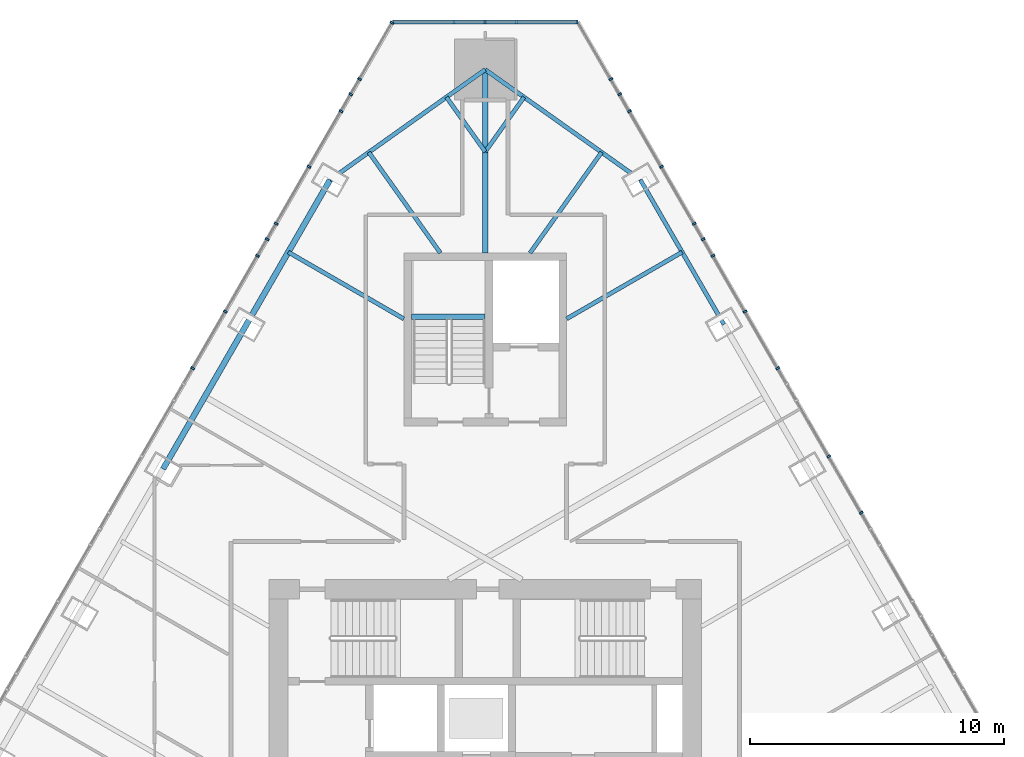
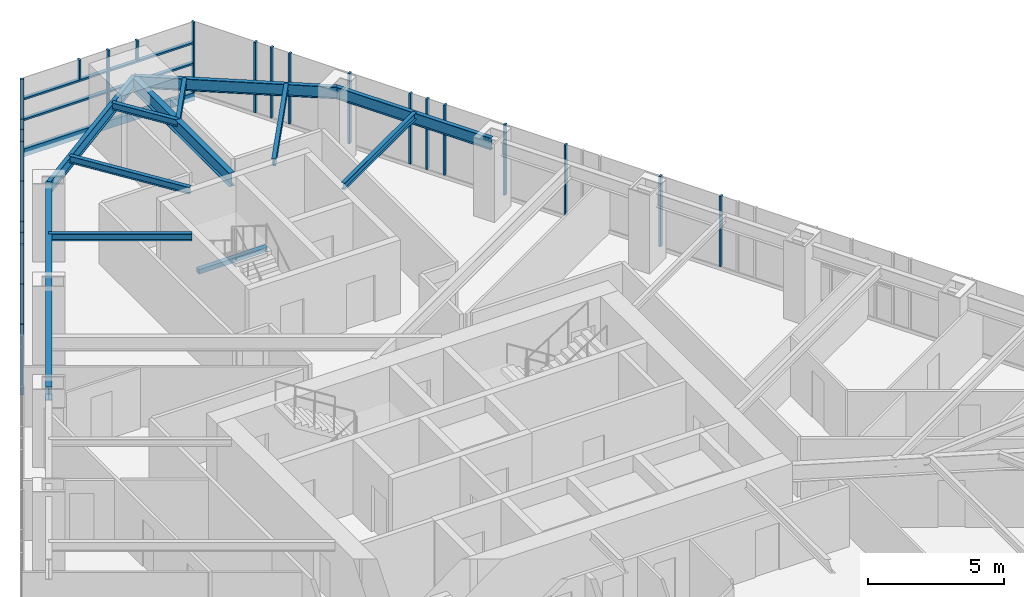
# One storey, part 10 of 20: 30 members, 12 beams, 3 elements without a shape of their own.
"""IFC4 building model written with IfcOpenShell, lengths in metres."""

import ifcopenshell
import ifcopenshell.guid

model = None  # the IFC model being written
_history = None  # IfcOwnerHistory: only IFC2X3 demands one
_inside = {}  # id of a spatial element -> (the spatial element, [elements in it])
_under = {}  # id of a project, library or spatial element -> (it, [spatial elements below it])
_declared = {}  # id of a project -> (the project, [libraries it declares])
_typed = {}  # id of a type object -> (the type object, [elements of that type])
_made_of = {}  # id of a material, layer set ... -> (it, [elements and type objects made of it])


def new_model(schema):
    """Start an empty IFC model of exactly this schema.

    Asked for "IFC4X3", IfcOpenShell would pick the latest addendum, in which some entities
    have other attributes; the version numbers below select the first issue.
    IFC2X3 requires an IfcOwnerHistory on every rooted entity: one is made here for all.
    """
    global model, _history
    if schema == "IFC4X3":
        model = ifcopenshell.file(schema_version=(4, 3, 0, 0))
    else:
        model = ifcopenshell.file(schema=schema)
    _inside.clear()
    _under.clear()
    _declared.clear()
    _typed.clear()
    _made_of.clear()
    _history = None
    if model.schema == "IFC2X3":
        org = make("IfcOrganization", Name="unknown")
        user = make(
            "IfcPersonAndOrganization",
            ThePerson=make("IfcPerson", FamilyName="unknown"),
            TheOrganization=org,
        )
        app = make(
            "IfcApplication",
            ApplicationDeveloper=org,
            Version="unknown",
            ApplicationFullName="unknown",
            ApplicationIdentifier="unknown",
        )
        _history = make(
            "IfcOwnerHistory",
            OwningUser=user,
            OwningApplication=app,
            ChangeAction="ADDED",
            CreationDate=0,
        )
    return model


def make(cls, **values):
    """One entity of the class cls with the attributes given. An attribute that is None is left unset."""
    return model.create_entity(
        cls, **{name: value for name, value in values.items() if value is not None}
    )


def rooted(cls, **values):
    """An entity with a GlobalId (a new one), such as an element, a storey or a relation."""
    return make(cls, GlobalId=ifcopenshell.guid.new(), OwnerHistory=_history, **values)


def si_unit(unit_type, name, prefix=None):
    """IfcSIUnit, for example si_unit("LENGTHUNIT", "METRE", prefix="MILLI")."""
    return make("IfcSIUnit", UnitType=unit_type, Prefix=prefix, Name=name)


def assignment(units):
    """IfcUnitAssignment: the units of a project."""
    return None if units is None else make("IfcUnitAssignment", Units=units)


def point(xyz):
    """IfcCartesianPoint."""
    return None if xyz is None else make("IfcCartesianPoint", Coordinates=xyz)


def direction(xyz):
    """IfcDirection."""
    return None if xyz is None else make("IfcDirection", DirectionRatios=xyz)


def frame(location, z_axis=None, x_axis=None):
    """IfcAxis2Placement3D, a coordinate frame: its origin and axes. An axis left out is left unset."""
    return make(
        "IfcAxis2Placement3D",
        Location=point(location),
        Axis=direction(z_axis),
        RefDirection=direction(x_axis),
    )


def frame_2d(location, x_axis=None):
    """IfcAxis2Placement2D, a coordinate frame in the plane: its origin and x axis."""
    return make(
        "IfcAxis2Placement2D", Location=point(location), RefDirection=direction(x_axis)
    )


def origin():
    """The frame at (0, 0, 0) with its axes left unset."""
    return frame((0.0, 0.0, 0.0))


def origin_2d():
    """The frame at (0, 0) in the plane with its x axis left unset."""
    return frame_2d((0.0, 0.0))


def place(relative_to, where):
    """IfcLocalPlacement: puts the frame where relative to a parent placement (None: the world)."""
    return make(
        "IfcLocalPlacement", PlacementRelTo=relative_to, RelativePlacement=where
    )


def context(
    kind, dimensions, precision=None, world=None, true_north=None, identifier=None
):
    """IfcGeometricRepresentationContext, for example the 3D "Model" context."""
    return make(
        "IfcGeometricRepresentationContext",
        ContextIdentifier=identifier,
        ContextType=kind,
        CoordinateSpaceDimension=dimensions,
        Precision=precision,
        WorldCoordinateSystem=world,
        TrueNorth=true_north,
    )


def subcontext(parent, identifier, kind, view, scale=None):
    """IfcGeometricRepresentationSubContext, for example "Body" below "Model"."""
    return make(
        "IfcGeometricRepresentationSubContext",
        ContextIdentifier=identifier,
        ContextType=kind,
        ParentContext=parent,
        TargetScale=scale,
        TargetView=view,
    )


def project(units=None, contexts=None):
    """IfcProject with its units and contexts."""
    return rooted(
        "IfcProject",
        Name="project",
        RepresentationContexts=contexts,
        UnitsInContext=assignment(units),
    )


def spatial(cls, under=None, at=None, **own):
    """A site, building, storey or space (cls), placed at a placement, below another one or the project."""
    s = rooted(cls, ObjectPlacement=at, **own)
    if under is not None:
        _under.setdefault(under.id(), (under, []))[1].append(s)
    return s


def profile(cls, at=None, kind="AREA", **sizes):
    """A parametric profile (cls). Its sizes go by their IFC names, for example OverallWidth=200.0."""
    return make(cls, ProfileType=kind, Position=at, **sizes)


def rectangle(**sizes):
    """IfcRectangleProfileDef."""
    return profile("IfcRectangleProfileDef", **sizes)


def i_section(**sizes):
    """IfcIShapeProfileDef."""
    return profile("IfcIShapeProfileDef", **sizes)


def extrude(swept, where, along, depth):
    """IfcExtrudedAreaSolid: the profile swept, set in the frame where, extruded along a direction by depth."""
    return make(
        "IfcExtrudedAreaSolid",
        SweptArea=swept,
        Position=where,
        ExtrudedDirection=direction(along),
        Depth=depth,
    )


def shape(context_of_items, identifier, shape_type, items):
    """IfcShapeRepresentation: the items that make up one representation, for example the "Body"."""
    return make(
        "IfcShapeRepresentation",
        ContextOfItems=context_of_items,
        RepresentationIdentifier=identifier,
        RepresentationType=shape_type,
        Items=items,
    )


def material(Name=None, Category=None):
    """IfcMaterial."""
    return make("IfcMaterial", Name=Name, Category=Category)


def layer(
    of_material, thickness, ventilated=None, Name=None, Category=None, Priority=None
):
    """IfcMaterialLayer: one layer of a wall or slab, of a material (None: an air gap)."""
    return make(
        "IfcMaterialLayer",
        Material=of_material,
        LayerThickness=thickness,
        IsVentilated=ventilated,
        Name=Name,
        Category=Category,
        Priority=Priority,
    )


def layer_set(layers, Name=None):
    """IfcMaterialLayerSet."""
    return make("IfcMaterialLayerSet", MaterialLayers=layers, LayerSetName=Name)


def material_profile(
    of_material, cross_section, Name=None, Category=None, Priority=None
):
    """IfcMaterialProfile: a cross section and its material."""
    return make(
        "IfcMaterialProfile",
        Name=Name,
        Material=of_material,
        Profile=cross_section,
        Priority=Priority,
        Category=Category,
    )


def profile_set(profiles, Name=None, composite=None):
    """IfcMaterialProfileSet."""
    return make(
        "IfcMaterialProfileSet",
        Name=Name,
        MaterialProfiles=profiles,
        CompositeProfile=composite,
    )


def made_of(thing, what):
    """Note that an element or type object is made of a material, layer set ...; save() writes the relation."""
    if what is not None:
        _made_of.setdefault(what.id(), (what, []))[1].append(thing)
    return thing


def type_object(cls, material=None, **own):
    """A type object (cls), such as IfcWallType, which elements share."""
    return made_of(rooted(cls, **own), material)


def element(
    cls,
    number,
    at=None,
    inside=None,
    cuts=None,
    type_object=None,
    material=None,
    context=None,
    identifier="Body",
    shape_type=None,
    held_by="IfcProductDefinitionShape",
    body=None,
    shapes=None,
    **own,
):
    """One element of the class cls, such as IfcWall. Its Tag is "e" and its number.

    at: its placement. inside: the storey or other place that contains it. cuts: it is an
    opening in that element (IfcRelVoidsElement). A single representation is given by context,
    identifier, shape_type and body (its items); several are given by shapes. held_by: the class
    of the entity that holds the representations. save() writes the other relations.
    """
    e = rooted(cls, Tag="e%d" % number, ObjectPlacement=at, **own)
    if body is not None:
        shapes = [shape(context, identifier, shape_type, body)]
    if shapes is not None:
        e.Representation = make(held_by, Representations=shapes)
    if inside is not None:
        _inside.setdefault(inside.id(), (inside, []))[1].append(e)
    if cuts is not None:
        rooted(
            "IfcRelVoidsElement", RelatingBuildingElement=cuts, RelatedOpeningElement=e
        )
    if type_object is not None:
        _typed.setdefault(type_object.id(), (type_object, []))[1].append(e)
    return made_of(e, material)


def aggregate(whole, parts):
    """IfcRelAggregates: a whole, such as a stair, and the parts it consists of."""
    return rooted("IfcRelAggregates", RelatingObject=whole, RelatedObjects=parts)


def save(model, path):
    """Write the relations noted so far, then the file.

    IfcRelAggregates (storeys below a building ...), IfcRelContainedInSpatialStructure (elements
    in a storey), IfcRelDefinesByType, IfcRelAssociatesMaterial and IfcRelDeclares: one each for
    every whole, place, type object, material and project.
    """
    for whole, parts in _under.values():
        aggregate(whole, parts)
    for where, things in _inside.values():
        rooted(
            "IfcRelContainedInSpatialStructure",
            RelatedElements=things,
            RelatingStructure=where,
        )
    for kind, things in _typed.values():
        rooted("IfcRelDefinesByType", RelatedObjects=things, RelatingType=kind)
    for what, things in _made_of.values():
        rooted("IfcRelAssociatesMaterial", RelatedObjects=things, RelatingMaterial=what)
    for by, libraries in _declared.values():
        rooted("IfcRelDeclares", RelatingContext=by, RelatedDefinitions=libraries)
    model.write(path)


model = new_model("IFC4")

# Units and contexts
model_context = context("Model", 3, precision=1e-05, world=origin(), true_north=direction((0.0, 1.0)))
body_context = subcontext(model_context, "Body", "Model", "MODEL_VIEW")
ifc_project = project(units=[si_unit("LENGTHUNIT", "METRE"), si_unit("AREAUNIT", "SQUARE_METRE"), si_unit("VOLUMEUNIT", "CUBIC_METRE"), si_unit("PLANEANGLEUNIT", "RADIAN"), si_unit("MASSUNIT", "GRAM", prefix="KILO")], contexts=[model_context])

# Site, building, storey
site_placement = place(None, origin())
site = spatial("IfcSite", under=ifc_project, at=site_placement, CompositionType="ELEMENT")
building_placement = place(site_placement, origin())
building = spatial("IfcBuilding", under=site, at=building_placement, Name="Firuza Gate Tower and Library", CompositionType="ELEMENT")
storey_placement = place(building_placement, frame((0.0, 0.0, 277.60009765625)))
storey = spatial("IfcBuildingStorey", under=building, at=storey_placement, Name="L66", CompositionType="ELEMENT", Elevation=277.60009765625)

# Curtain wall, members
ifc_material_1 = material(Name="Aluminium 6063-T6", Category="aluminium")
ifc_layer_1 = layer(ifc_material_1, 0.14990234375)
ifc_layer_set_1 = layer_set([ifc_layer_1], Name="Unitised curtain wall, residences")
curtain_wall_type_1 = type_object("IfcCurtainWallType", Name="Unitised curtain wall, residences", PredefinedType="NOTDEFINED", material=ifc_layer_set_1)
placement = place(storey_placement, origin())
curtain_wall_1 = element("IfcCurtainWall", 1, at=placement, inside=storey, type_object=curtain_wall_type_1, Name="CW3 L66 E face", PredefinedType="NOTDEFINED")
ifc_material_2 = material(Name="Aluminium 6063-T6", Category="aluminium")
ifc_material_profile_1 = material_profile(ifc_material_2, rectangle(XDim=0.14990234375, YDim=0.080078125, at=origin_2d()))
ifc_profile_set_1 = profile_set([ifc_material_profile_1], Name="Aluminium 6063-T6")
member_type_1 = type_object("IfcMemberType", Name="Curtain wall mullion 80x150", PredefinedType="MULLION", material=ifc_profile_set_1)
member_1_placement = place(storey_placement, frame((88.509765625, 86.59765625, 0.14990234375), z_axis=(0.0, 0.0, 1.0), x_axis=(-0.866025403784, -0.5, 0.0)))
member_1 = element("IfcMember", 2, at=member_1_placement, type_object=member_type_1, Name="Mullion", PredefinedType="MULLION", context=body_context, shape_type="SweptSolid", body=[
    extrude(rectangle(XDim=0.14990234375, YDim=0.080078125, at=origin_2d()), origin(), (0.0, 0.0, 1.0), 3.14990234375),
])
member_2_placement = place(storey_placement, frame((85.220947265625, 92.2939453125, 0.14990234375), z_axis=(0.0, 0.0, 1.0), x_axis=(-0.866025403784, -0.5, 0.0)))
member_2 = element("IfcMember", 3, at=member_2_placement, type_object=member_type_1, Name="Mullion", PredefinedType="MULLION", context=body_context, shape_type="SweptSolid", body=[
    extrude(rectangle(XDim=0.14990234375, YDim=0.080078125, at=origin_2d()), origin(), (0.0, 0.0, 1.0), 3.14990234375),
])
member_3_placement = place(storey_placement, frame((83.57666015625, 95.142333984375, 0.14990234375), z_axis=(0.0, 0.0, 1.0), x_axis=(-0.866025403784, -0.5, 0.0)))
member_3 = element("IfcMember", 4, at=member_3_placement, type_object=member_type_1, Name="Mullion", PredefinedType="MULLION", context=body_context, shape_type="SweptSolid", body=[
    extrude(rectangle(XDim=0.14990234375, YDim=0.080078125, at=origin_2d()), origin(), (0.0, 0.0, 1.0), 3.14990234375),
])
member_4_placement = place(storey_placement, frame((81.93212890625, 97.990478515625, 0.14990234375), z_axis=(0.0, 0.0, 1.0), x_axis=(-0.866025403784, -0.5, 0.0)))
member_4 = element("IfcMember", 5, at=member_4_placement, type_object=member_type_1, Name="Mullion", PredefinedType="MULLION", context=body_context, shape_type="SweptSolid", body=[
    extrude(rectangle(XDim=0.14990234375, YDim=0.080078125, at=origin_2d()), origin(), (0.0, 0.0, 1.0), 3.14990234375),
])
member_5_placement = place(storey_placement, frame((80.287841796875, 100.838623046875, 0.14990234375), z_axis=(0.0, 0.0, 1.0), x_axis=(-0.866025403784, -0.5, 0.0)))
member_5 = element("IfcMember", 6, at=member_5_placement, type_object=member_type_1, Name="Mullion", PredefinedType="MULLION", context=body_context, shape_type="SweptSolid", body=[
    extrude(rectangle(XDim=0.14990234375, YDim=0.080078125, at=origin_2d()), origin(), (0.0, 0.0, 1.0), 3.14990234375),
])
member_6_placement = place(storey_placement, frame((89.7890625, 84.3818359375, 0.14990234375), z_axis=(0.0, 0.0, 1.0), x_axis=(-0.866025403784, -0.5, 0.0)))
member_6 = element("IfcMember", 7, at=member_6_placement, type_object=member_type_1, Name="Mullion", PredefinedType="MULLION", context=body_context, shape_type="SweptSolid", body=[
    extrude(rectangle(XDim=0.14990234375, YDim=0.080078125, at=origin_2d()), origin(), (0.0, 0.0, 1.0), 3.14990234375),
])
member_7_placement = place(storey_placement, frame((86.506591796875, 90.0673828125, 0.14990234375), z_axis=(0.0, 0.0, 1.0), x_axis=(-0.866025403784, -0.5, 0.0)))
member_7 = element("IfcMember", 8, at=member_7_placement, type_object=member_type_1, Name="Mullion", PredefinedType="MULLION", context=body_context, shape_type="SweptSolid", body=[
    extrude(rectangle(XDim=0.14990234375, YDim=0.080078125, at=origin_2d()), origin(), (0.0, 0.0, 1.0), 3.14990234375),
])
member_8_placement = place(storey_placement, frame((83.9541015625, 94.488525390625, 0.14990234375), z_axis=(0.0, 0.0, 1.0), x_axis=(-0.866025403784, -0.5, 0.0)))
member_8 = element("IfcMember", 9, at=member_8_placement, type_object=member_type_1, Name="Mullion", PredefinedType="MULLION", context=body_context, shape_type="SweptSolid", body=[
    extrude(rectangle(XDim=0.14990234375, YDim=0.080078125, at=origin_2d()), origin(), (0.0, 0.0, 1.0), 3.14990234375),
])
member_9_placement = place(storey_placement, frame((83.223876953125, 95.753173828125, 0.14990234375), z_axis=(0.0, 0.0, 1.0), x_axis=(-0.866025403784, -0.5, 0.0)))
member_9 = element("IfcMember", 10, at=member_9_placement, type_object=member_type_1, Name="Mullion", PredefinedType="MULLION", context=body_context, shape_type="SweptSolid", body=[
    extrude(rectangle(XDim=0.14990234375, YDim=0.080078125, at=origin_2d()), origin(), (0.0, 0.0, 1.0), 3.14990234375),
])
member_10_placement = place(storey_placement, frame((80.67138671875, 100.174072265625, 0.14990234375), z_axis=(0.0, 0.0, 1.0), x_axis=(-0.866025403784, -0.5, 0.0)))
member_10 = element("IfcMember", 11, at=member_10_placement, type_object=member_type_1, Name="Mullion", PredefinedType="MULLION", context=body_context, shape_type="SweptSolid", body=[
    extrude(rectangle(XDim=0.14990234375, YDim=0.080078125, at=origin_2d()), origin(), (0.0, 0.0, 1.0), 3.14990234375),
])
member_11_placement = place(storey_placement, frame((79.941162109375, 101.43896484375, 0.14990234375), z_axis=(0.0, 0.0, 1.0), x_axis=(-0.866025403784, -0.5, 0.0)))
member_11 = element("IfcMember", 12, at=member_11_placement, type_object=member_type_1, Name="Mullion", PredefinedType="MULLION", context=body_context, shape_type="SweptSolid", body=[
    extrude(rectangle(XDim=0.14990234375, YDim=0.080078125, at=origin_2d()), origin(), (0.0, 0.0, 1.0), 3.14990234375),
])
aggregate(curtain_wall_1, [member_1, member_2, member_3, member_4, member_5, member_6, member_7, member_8, member_9, member_10, member_11])

ifc_material_3 = material(Name="Aluminium 6063-T6", Category="aluminium")
ifc_layer_2 = layer(ifc_material_3, 0.14990234375)
ifc_layer_set_2 = layer_set([ifc_layer_2], Name="Corner curtain wall, chamfers")
curtain_wall_type_2 = type_object("IfcCurtainWallType", Name="Corner curtain wall, chamfers", PredefinedType="NOTDEFINED", material=ifc_layer_set_2)
curtain_wall_2 = element("IfcCurtainWall", 13, at=placement, inside=storey, type_object=curtain_wall_type_2, Name="CW4 L66 N corner", PredefinedType="NOTDEFINED")
member_12_placement = place(storey_placement, frame((78.603271484375, 103.68701171875, 0.14990234375), z_axis=(0.0, 0.0, 1.0), x_axis=(0.0, -1.0, 0.0)))
member_12 = element("IfcMember", 14, at=member_12_placement, type_object=member_type_1, Name="Mullion", PredefinedType="MULLION", context=body_context, shape_type="SweptSolid", body=[
    extrude(rectangle(XDim=0.14990234375, YDim=0.080078125, at=origin_2d()), origin(), (0.0, 0.0, 1.0), 3.14990234375),
])
member_13_placement = place(storey_placement, frame((75.0, 103.68701171875, 0.14990234375), z_axis=(0.0, 0.0, 1.0), x_axis=(0.0, -1.0, 0.0)))
member_13 = element("IfcMember", 15, at=member_13_placement, type_object=member_type_1, Name="Mullion", PredefinedType="MULLION", context=body_context, shape_type="SweptSolid", body=[
    extrude(rectangle(XDim=0.14990234375, YDim=0.080078125, at=origin_2d()), origin(), (0.0, 0.0, 1.0), 3.14990234375),
])
member_14_placement = place(storey_placement, frame((76.22216796875, 103.68701171875, 2.414794921875), z_axis=(0.0, 0.0, 1.0), x_axis=(0.0, -1.0, 0.0)))
member_14 = element("IfcMember", 16, at=member_14_placement, type_object=member_type_1, Name="Mullion", PredefinedType="MULLION", context=body_context, shape_type="SweptSolid", body=[
    extrude(rectangle(XDim=0.14990234375, YDim=0.080078125, at=origin_2d()), origin(), (0.0, 0.0, 1.0), 0.885009765625),
])
member_15_placement = place(storey_placement, frame((73.77783203125, 103.68701171875, 2.414794921875), z_axis=(0.0, 0.0, 1.0), x_axis=(0.0, -1.0, 0.0)))
member_15 = element("IfcMember", 17, at=member_15_placement, type_object=member_type_1, Name="Mullion", PredefinedType="MULLION", context=body_context, shape_type="SweptSolid", body=[
    extrude(rectangle(XDim=0.14990234375, YDim=0.080078125, at=origin_2d()), origin(), (0.0, 0.0, 1.0), 0.885009765625),
])

curtain_wall_3 = element("IfcCurtainWall", 18, at=placement, inside=storey, type_object=curtain_wall_type_1, Name="CW3 L66 W face", PredefinedType="NOTDEFINED")
member_16_placement = place(storey_placement, frame((71.336669921875, 103.65234375, 0.14990234375), z_axis=(0.0, 0.0, 1.0), x_axis=(0.866025403784, -0.5, 0.0)))
member_16 = element("IfcMember", 19, at=member_16_placement, type_object=member_type_1, Name="Mullion", PredefinedType="MULLION", context=body_context, shape_type="SweptSolid", body=[
    extrude(rectangle(XDim=0.14990234375, YDim=0.080078125, at=origin_2d()), origin(), (0.0, 0.0, 1.0), 3.14990234375),
])
member_17_placement = place(storey_placement, frame((69.712158203125, 100.838623046875, 0.14990234375), z_axis=(0.0, 0.0, 1.0), x_axis=(0.866025403784, -0.5, 0.0)))
member_17 = element("IfcMember", 20, at=member_17_placement, type_object=member_type_1, Name="Mullion", PredefinedType="MULLION", context=body_context, shape_type="SweptSolid", body=[
    extrude(rectangle(XDim=0.14990234375, YDim=0.080078125, at=origin_2d()), origin(), (0.0, 0.0, 1.0), 3.14990234375),
])
member_18_placement = place(storey_placement, frame((68.06787109375, 97.990478515625, 0.14990234375), z_axis=(0.0, 0.0, 1.0), x_axis=(0.866025403784, -0.5, 0.0)))
member_18 = element("IfcMember", 21, at=member_18_placement, type_object=member_type_1, Name="Mullion", PredefinedType="MULLION", context=body_context, shape_type="SweptSolid", body=[
    extrude(rectangle(XDim=0.14990234375, YDim=0.080078125, at=origin_2d()), origin(), (0.0, 0.0, 1.0), 3.14990234375),
])
member_19_placement = place(storey_placement, frame((66.42333984375, 95.142333984375, 0.14990234375), z_axis=(0.0, 0.0, 1.0), x_axis=(0.866025403784, -0.5, 0.0)))
member_19 = element("IfcMember", 22, at=member_19_placement, type_object=member_type_1, Name="Mullion", PredefinedType="MULLION", context=body_context, shape_type="SweptSolid", body=[
    extrude(rectangle(XDim=0.14990234375, YDim=0.080078125, at=origin_2d()), origin(), (0.0, 0.0, 1.0), 3.14990234375),
])
member_20_placement = place(storey_placement, frame((64.779052734375, 92.2939453125, 0.14990234375), z_axis=(0.0, 0.0, 1.0), x_axis=(0.866025403784, -0.5, 0.0)))
member_20 = element("IfcMember", 23, at=member_20_placement, type_object=member_type_1, Name="Mullion", PredefinedType="MULLION", context=body_context, shape_type="SweptSolid", body=[
    extrude(rectangle(XDim=0.14990234375, YDim=0.080078125, at=origin_2d()), origin(), (0.0, 0.0, 1.0), 3.14990234375),
])
member_21_placement = place(storey_placement, frame((70.058837890625, 101.43896484375, 0.14990234375), z_axis=(0.0, 0.0, 1.0), x_axis=(0.866025403784, -0.5, 0.0)))
member_21 = element("IfcMember", 24, at=member_21_placement, type_object=member_type_1, Name="Mullion", PredefinedType="MULLION", context=body_context, shape_type="SweptSolid", body=[
    extrude(rectangle(XDim=0.14990234375, YDim=0.080078125, at=origin_2d()), origin(), (0.0, 0.0, 1.0), 3.14990234375),
])
member_22_placement = place(storey_placement, frame((69.32861328125, 100.174072265625, 0.14990234375), z_axis=(0.0, 0.0, 1.0), x_axis=(0.866025403784, -0.5, 0.0)))
member_22 = element("IfcMember", 25, at=member_22_placement, type_object=member_type_1, Name="Mullion", PredefinedType="MULLION", context=body_context, shape_type="SweptSolid", body=[
    extrude(rectangle(XDim=0.14990234375, YDim=0.080078125, at=origin_2d()), origin(), (0.0, 0.0, 1.0), 3.14990234375),
])
member_23_placement = place(storey_placement, frame((66.776123046875, 95.753173828125, 0.14990234375), z_axis=(0.0, 0.0, 1.0), x_axis=(0.866025403784, -0.5, 0.0)))
member_23 = element("IfcMember", 26, at=member_23_placement, type_object=member_type_1, Name="Mullion", PredefinedType="MULLION", context=body_context, shape_type="SweptSolid", body=[
    extrude(rectangle(XDim=0.14990234375, YDim=0.080078125, at=origin_2d()), origin(), (0.0, 0.0, 1.0), 3.14990234375),
])
member_24_placement = place(storey_placement, frame((66.0458984375, 94.488525390625, 0.14990234375), z_axis=(0.0, 0.0, 1.0), x_axis=(0.866025403784, -0.5, 0.0)))
member_24 = element("IfcMember", 27, at=member_24_placement, type_object=member_type_1, Name="Mullion", PredefinedType="MULLION", context=body_context, shape_type="SweptSolid", body=[
    extrude(rectangle(XDim=0.14990234375, YDim=0.080078125, at=origin_2d()), origin(), (0.0, 0.0, 1.0), 3.14990234375),
])
member_25_placement = place(storey_placement, frame((63.493408203125, 90.0673828125, 0.14990234375), z_axis=(0.0, 0.0, 1.0), x_axis=(0.866025403784, -0.5, 0.0)))
member_25 = element("IfcMember", 28, at=member_25_placement, type_object=member_type_1, Name="Mullion", PredefinedType="MULLION", context=body_context, shape_type="SweptSolid", body=[
    extrude(rectangle(XDim=0.14990234375, YDim=0.080078125, at=origin_2d()), origin(), (0.0, 0.0, 1.0), 3.14990234375),
])
aggregate(curtain_wall_3, [member_16, member_17, member_18, member_19, member_20, member_21, member_22, member_23, member_24, member_25])

# Member
ifc_material_4 = material(Name="Aluminium 6063-T6", Category="aluminium")
ifc_material_profile_2 = material_profile(ifc_material_4, rectangle(XDim=0.14990234375, YDim=0.35009765625, at=origin_2d()))
ifc_profile_set_2 = profile_set([ifc_material_profile_2], Name="Aluminium 6063-T6")
member_type_2 = type_object("IfcMemberType", Name="Curtain wall transom 350x150", PredefinedType="USERDEFINED", material=ifc_profile_set_2)
member_26_placement = place(storey_placement, frame((78.643310546875, 103.68701171875, -0.025146484375), z_axis=(-1.0, 0.0, 0.0), x_axis=(0.0, -1.0, 0.0)))
member_26 = element("IfcMember", 29, at=member_26_placement, type_object=member_type_2, Name="Transom", ObjectType="TRANSOM", PredefinedType="USERDEFINED", context=body_context, shape_type="SweptSolid", body=[
    extrude(rectangle(XDim=0.14990234375, YDim=0.35009765625, at=origin_2d()), origin(), (0.0, 0.0, 1.0), 7.28662109375),
])

ifc_material_5 = material(Name="Aluminium 6063-T6", Category="aluminium")
ifc_material_profile_3 = material_profile(ifc_material_5, rectangle(XDim=0.14990234375, YDim=0.080078125, at=origin_2d()))
ifc_profile_set_3 = profile_set([ifc_material_profile_3], Name="Aluminium 6063-T6")
member_type_3 = type_object("IfcMemberType", Name="Curtain wall transom 80x150", PredefinedType="USERDEFINED", material=ifc_profile_set_3)
member_27_placement = place(storey_placement, frame((78.603271484375, 103.68701171875, 1.449951171875), z_axis=(-1.0, 0.0, 0.0), x_axis=(0.0, -1.0, 0.0)))
member_27 = element("IfcMember", 30, at=member_27_placement, type_object=member_type_3, Name="Transom", ObjectType="TRANSOM", PredefinedType="USERDEFINED", context=body_context, shape_type="SweptSolid", body=[
    extrude(rectangle(XDim=0.14990234375, YDim=0.080078125, at=origin_2d()), origin(), (0.0, 0.0, 1.0), 3.563232421875),
])

member_28_placement = place(storey_placement, frame((78.603271484375, 103.68701171875, 2.375), z_axis=(-1.0, 0.0, 0.0), x_axis=(0.0, -1.0, 0.0)))
member_28 = element("IfcMember", 31, at=member_28_placement, type_object=member_type_3, Name="Transom", ObjectType="TRANSOM", PredefinedType="USERDEFINED", context=body_context, shape_type="SweptSolid", body=[
    extrude(rectangle(XDim=0.14990234375, YDim=0.080078125, at=origin_2d()), origin(), (0.0, 0.0, 1.0), 3.563232421875),
])

member_29_placement = place(storey_placement, frame((74.9599609375, 103.68701171875, 1.449951171875), z_axis=(-1.0, 0.0, 0.0), x_axis=(0.0, -1.0, 0.0)))
member_29 = element("IfcMember", 32, at=member_29_placement, type_object=member_type_3, Name="Transom", ObjectType="TRANSOM", PredefinedType="USERDEFINED", context=body_context, shape_type="SweptSolid", body=[
    extrude(rectangle(XDim=0.14990234375, YDim=0.080078125, at=origin_2d()), origin(), (0.0, 0.0, 1.0), 3.563232421875),
])

member_30_placement = place(storey_placement, frame((74.9599609375, 103.68701171875, 2.375), z_axis=(-1.0, 0.0, 0.0), x_axis=(0.0, -1.0, 0.0)))
member_30 = element("IfcMember", 33, at=member_30_placement, type_object=member_type_3, Name="Transom", ObjectType="TRANSOM", PredefinedType="USERDEFINED", context=body_context, shape_type="SweptSolid", body=[
    extrude(rectangle(XDim=0.14990234375, YDim=0.080078125, at=origin_2d()), origin(), (0.0, 0.0, 1.0), 3.563232421875),
])

aggregate(curtain_wall_2, [member_12, member_13, member_26, member_14, member_27, member_28, member_15, member_29, member_30])

# Beams
ifc_material_6 = material(Name="Concrete C35/45", Category="concrete")
ifc_material_profile_4 = material_profile(ifc_material_6, rectangle(XDim=0.199951171875, YDim=0.199951171875, at=origin_2d()))
ifc_profile_set_4 = profile_set([ifc_material_profile_4], Name="Concrete C35/45")
beam_type_1 = type_object("IfcBeamType", Name="Stair landing bearer 200x200", PredefinedType="BEAM", material=ifc_profile_set_4)
beam_1_placement = place(storey_placement, frame((75.0, 92.090087890625, 1.449951171875), z_axis=(-1.0, 0.0, 0.0), x_axis=(0.0, -1.0, 0.0)))
element("IfcBeam", 34, at=beam_1_placement, inside=storey, type_object=beam_type_1, Name="Landing bearer L66 stair 3", PredefinedType="BEAM", context=body_context, shape_type="SweptSolid", body=[
    extrude(rectangle(XDim=0.199951171875, YDim=0.199951171875, at=origin_2d()), origin(), (0.0, 0.0, 1.0), 2.89990234375),
])
ifc_material_7 = material(Name="Steel S355", Category="steel")
ifc_material_profile_5 = material_profile(ifc_material_7, i_section(OverallWidth=0.1650390625, OverallDepth=0.31005859375, WebThickness=0.005859375, FlangeThickness=0.009765625, at=origin_2d()))
ifc_profile_set_5 = profile_set([ifc_material_profile_5], Name="Steel S355")
beam_type_2 = type_object("IfcBeamType", Name="W310x39 Floor beam", PredefinedType="JOIST", material=ifc_profile_set_5)
beam_2_placement = place(storey_placement, frame((82.74462890625, 94.63330078125, 3.14501953125), z_axis=(-0.8660329634, -0.499986906133, 0.0), x_axis=(0.499986906133, -0.8660329634, 0.0)))
element("IfcBeam", 35, at=beam_2_placement, inside=storey, type_object=beam_type_2, Name="Floor beam L66 s54", PredefinedType="JOIST", context=body_context, shape_type="SweptSolid", body=[
    extrude(i_section(OverallWidth=0.1650390625, OverallDepth=0.31005859375, WebThickness=0.005859375, FlangeThickness=0.009765625, at=origin_2d()), origin(), (0.0, 0.0, 1.0), 5.247802734375),
])
beam_3_placement = place(storey_placement, frame((79.577392578125, 98.56005859375, 3.14501953125), z_axis=(-0.579149122088, -0.815221622864, 0.0), x_axis=(0.815221622864, -0.579149122088, 0.0)))
element("IfcBeam", 36, at=beam_3_placement, inside=storey, type_object=beam_type_2, Name="Floor beam L66 s60", PredefinedType="JOIST", context=body_context, shape_type="SweptSolid", body=[
    extrude(i_section(OverallWidth=0.1650390625, OverallDepth=0.31005859375, WebThickness=0.005859375, FlangeThickness=0.009765625, at=origin_2d()), origin(), (0.0, 0.0, 1.0), 4.857421875),
])
for number, where, z_axis, x_axis, name in (
    (37, (76.52587890625, 100.72802734375, 3.14501953125), (-0.579132591432, -0.815233366307, 0.0), (0.815233366307, -0.579132591432, 0.0), "Floor beam L66 s61"),
    (38, (73.47412109375, 100.72802734375, 3.14501953125), (0.579132591432, -0.815233366307, 0.0), (0.815233366307, 0.579132591432, 0.0), "Floor beam L66 s70"),
):
    element("IfcBeam", number, at=place(storey_placement, frame(where, z_axis=z_axis, x_axis=x_axis)), inside=storey, type_object=beam_type_2, Name=name, PredefinedType="JOIST", context=body_context, shape_type="SweptSolid", body=[
        extrude(i_section(OverallWidth=0.1650390625, OverallDepth=0.31005859375, WebThickness=0.005859375, FlangeThickness=0.009765625, at=origin_2d()), origin(), (0.0, 0.0, 1.0), 2.634765625),
    ])
beam_4_placement = place(storey_placement, frame((70.422607421875, 98.56005859375, 3.14501953125), z_axis=(0.579149122088, -0.815221622864, 0.0), x_axis=(0.815221622864, 0.579149122088, 0.0)))
element("IfcBeam", 39, at=beam_4_placement, inside=storey, type_object=beam_type_2, Name="Floor beam L66 s71", PredefinedType="JOIST", context=body_context, shape_type="SweptSolid", body=[
    extrude(i_section(OverallWidth=0.1650390625, OverallDepth=0.31005859375, WebThickness=0.005859375, FlangeThickness=0.009765625, at=origin_2d()), origin(), (0.0, 0.0, 1.0), 4.857421875),
])
beam_5_placement = place(storey_placement, frame((67.25537109375, 94.63330078125, 3.14501953125), z_axis=(0.8660329634, -0.499986906133, 0.0), x_axis=(0.499986906133, 0.8660329634, 0.0)))
element("IfcBeam", 40, at=beam_5_placement, inside=storey, type_object=beam_type_2, Name="Floor beam L66 s80", PredefinedType="JOIST", context=body_context, shape_type="SweptSolid", body=[
    extrude(i_section(OverallWidth=0.1650390625, OverallDepth=0.31005859375, WebThickness=0.005859375, FlangeThickness=0.009765625, at=origin_2d()), origin(), (0.0, 0.0, 1.0), 5.247802734375),
])
ifc_material_8 = material(Name="Steel S355", Category="steel")
ifc_material_profile_6 = material_profile(ifc_material_8, i_section(OverallWidth=0.166015625, OverallDepth=0.534912109375, WebThickness=0.01025390625, FlangeThickness=0.0166015625, at=origin_2d()))
ifc_profile_set_6 = profile_set([ifc_material_profile_6], Name="Steel S355")
beam_type_3 = type_object("IfcBeamType", Name="W530x85 Edge beam", PredefinedType="SPANDREL", material=ifc_profile_set_6)
beam_6_placement = place(storey_placement, frame((84.385986328125, 91.79052734375, 3.032470703125), z_axis=(-0.500018600842, 0.866014664317, 0.0), x_axis=(-0.866014664317, -0.500018600842, 0.0)))
element("IfcBeam", 41, at=beam_6_placement, inside=storey, type_object=beam_type_3, Name="Edge beam L66 e54", PredefinedType="SPANDREL", context=body_context, shape_type="SweptSolid", body=[
    extrude(i_section(OverallWidth=0.166015625, OverallDepth=0.534912109375, WebThickness=0.01025390625, FlangeThickness=0.0166015625, at=origin_2d()), origin(), (0.0, 0.0, 1.0), 6.565185546875),
])
for number, where, z_axis, x_axis, name in (
    (42, (81.103271484375, 97.47607421875, 3.032470703125), (-0.815218088907, 0.579154096523, 0.0), (-0.579154096523, -0.815218088907, 0.0), "Edge beam L66 e60"),
    (43, (75.0, 101.81201171875, 3.032470703125), (-0.815218088907, -0.579154096523, 0.0), (0.579154096523, -0.815218088907, 0.0), "Edge beam L66 e70"),
):
    element("IfcBeam", number, at=place(storey_placement, frame(where, z_axis=z_axis, x_axis=x_axis)), inside=storey, type_object=beam_type_3, Name=name, PredefinedType="SPANDREL", context=body_context, shape_type="SweptSolid", body=[
        extrude(i_section(OverallWidth=0.166015625, OverallDepth=0.534912109375, WebThickness=0.01025390625, FlangeThickness=0.0166015625, at=origin_2d()), origin(), (0.0, 0.0, 1.0), 7.486572265625),
    ])
ifc_material_9 = material(Name="Steel S355", Category="steel")
ifc_material_profile_7 = material_profile(ifc_material_9, i_section(OverallWidth=0.22802734375, OverallDepth=0.60302734375, WebThickness=0.010498046875, FlangeThickness=0.014892578125, at=origin_2d()))
ifc_profile_set_7 = profile_set([ifc_material_profile_7], Name="Steel S355")
beam_type_4 = type_object("IfcBeamType", Name="W610x101 Girder", PredefinedType="BEAM", material=ifc_profile_set_7)
beam_7_placement = place(storey_placement, frame((75.0, 101.81201171875, 2.998291015625), z_axis=(0.0, -1.0, 0.0), x_axis=(1.0, 0.0, 0.0)))
element("IfcBeam", 44, at=beam_7_placement, inside=storey, type_object=beam_type_4, Name="Girder L66 gN", PredefinedType="BEAM", context=body_context, shape_type="SweptSolid", body=[
    extrude(i_section(OverallWidth=0.22802734375, OverallDepth=0.60302734375, WebThickness=0.010498046875, FlangeThickness=0.014892578125, at=origin_2d()), origin(), (0.0, 0.0, 1.0), 7.2119140625),
])
ifc_material_10 = material(Name="Steel S355", Category="steel")
ifc_material_profile_8 = material_profile(ifc_material_10, i_section(OverallWidth=0.22900390625, OverallDepth=0.612060546875, WebThickness=0.011962890625, FlangeThickness=0.01953125, at=origin_2d()))
ifc_profile_set_8 = profile_set([ifc_material_profile_8], Name="Steel S355")
beam_type_5 = type_object("IfcBeamType", Name="W610x125 Edge beam", PredefinedType="SPANDREL", material=ifc_profile_set_8)
beam_8_placement = place(storey_placement, frame((68.896728515625, 97.47607421875, 2.993896484375), z_axis=(-0.499996604533, -0.866027364149, 0.0), x_axis=(0.866027364149, -0.499996604533, 0.0)))
element("IfcBeam", 45, at=beam_8_placement, inside=storey, type_object=beam_type_5, Name="Edge beam L66 e80", PredefinedType="SPANDREL", context=body_context, shape_type="SweptSolid", body=[
    extrude(i_section(OverallWidth=0.22900390625, OverallDepth=0.612060546875, WebThickness=0.011962890625, FlangeThickness=0.01953125, at=origin_2d()), origin(), (0.0, 0.0, 1.0), 13.13037109375),
])

save(model, "model.ifc")
